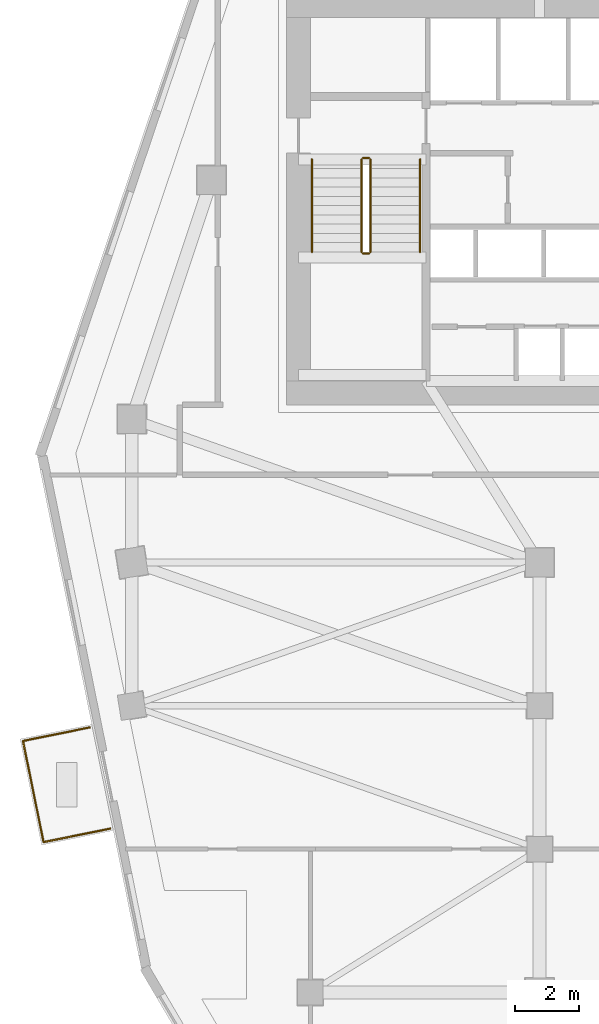
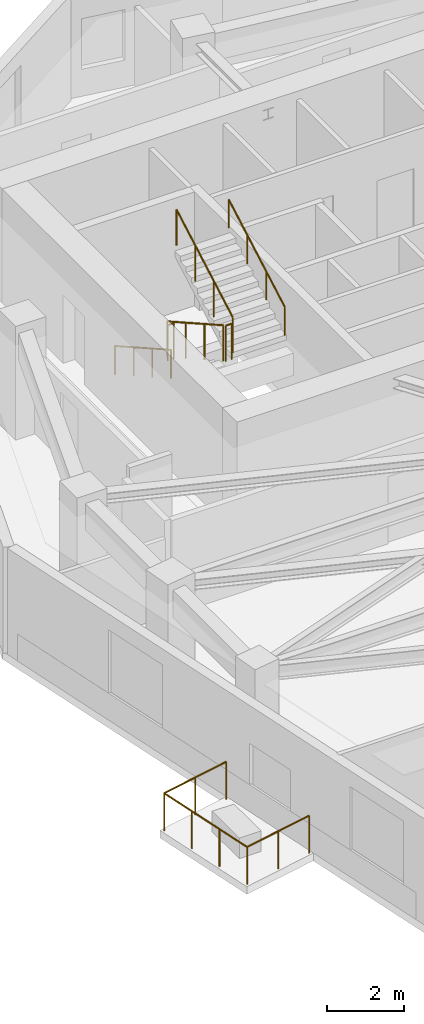
# One storey, part 9 of 11: 9 railings.
"""IFC4 building model written with IfcOpenShell, lengths in metres."""

from ifc_helpers import new_model, si_unit, direction, frame, origin, origin_2d, place, context, subcontext, project, spatial, circle, extrude, material, type_object, element, save


model = new_model("IFC4")

# Units and contexts
model_context = context("Model", 3, precision=1e-05, world=origin(), true_north=direction((0.0, 1.0)))
body_context = subcontext(model_context, "Body", "Model", "MODEL_VIEW")
ifc_project = project(units=[si_unit("LENGTHUNIT", "METRE"), si_unit("AREAUNIT", "SQUARE_METRE"), si_unit("VOLUMEUNIT", "CUBIC_METRE"), si_unit("PLANEANGLEUNIT", "RADIAN"), si_unit("MASSUNIT", "GRAM", prefix="KILO")], contexts=[model_context])

# Site, building, storey
site_placement = place(None, origin())
site = spatial("IfcSite", under=ifc_project, at=site_placement, CompositionType="ELEMENT")
building_placement = place(site_placement, origin())
building = spatial("IfcBuilding", under=site, at=building_placement, Name="Calvemar Wedge Station Tower", CompositionType="ELEMENT")
storey_placement = place(building_placement, frame((0.0, 0.0, 161.0)))
storey = spatial("IfcBuildingStorey", under=building, at=storey_placement, Name="L40", CompositionType="ELEMENT", Elevation=161.0)

# Railings
ifc_material_1 = material(Name="Stainless steel AISI 316L", Category="steel")
railing_type_1 = type_object("IfcRailingType", Name="GRD-TERR-1200", PredefinedType="GUARDRAIL", material=ifc_material_1)
railing_1_placement = place(storey_placement, frame((10.32373046875, 20.146484375, 0.0)))
element("IfcRailing", 1, at=railing_1_placement, inside=storey, type_object=railing_type_1, Name="Storey L40 Spiral Terrace Guard 2", PredefinedType="GUARDRAIL", context=body_context, shape_type="SweptSolid", body=[
    extrude(circle(Radius=0.02392578125, at=origin_2d()), frame((0.0, 0.0, 1.17578125), z_axis=(-0.980050562367, -0.198748321262, 0.0), x_axis=(0.198748321262, -0.980050562367, 0.0)), (0.0, 0.0, 1.0), 2.139892578125),
    extrude(circle(Radius=0.02099609375, at=origin_2d()), origin(), (0.0, 0.0, 1.0), 1.15185546875),
    extrude(circle(Radius=0.02099609375, at=origin_2d()), frame((-1.048583984375, -0.212646484375, 0.0)), (0.0, 0.0, 1.0), 1.15185546875),
    extrude(circle(Radius=0.02099609375, at=origin_2d()), frame((-2.09716796875, -0.42529296875, 0.0)), (0.0, 0.0, 1.0), 1.15185546875),
])
railing_2_placement = place(storey_placement, frame((8.2265625, 19.72119140625, 0.0)))
element("IfcRailing", 2, at=railing_2_placement, inside=storey, type_object=railing_type_1, Name="Storey L40 Spiral Terrace Guard 3", PredefinedType="GUARDRAIL", context=body_context, shape_type="SweptSolid", body=[
    extrude(circle(Radius=0.02392578125, at=origin_2d()), frame((0.0, 0.0, 1.17578125), z_axis=(-0.198854128346, 0.980029099384, 0.0), x_axis=(-0.980029099384, -0.198854128346, 0.0)), (0.0, 0.0, 1.0), 3.239990234375),
    extrude(circle(Radius=0.02099609375, at=origin_2d()), origin(), (0.0, 0.0, 1.0), 1.15185546875),
    extrude(circle(Radius=0.02099609375, at=origin_2d()), frame((-0.21484375, 1.058349609375, 0.0)), (0.0, 0.0, 1.0), 1.15185546875),
    extrude(circle(Radius=0.02099609375, at=origin_2d()), frame((-0.429443359375, 2.116943359375, 0.0)), (0.0, 0.0, 1.0), 1.15185546875),
    extrude(circle(Radius=0.02099609375, at=origin_2d()), frame((-0.644287109375, 3.17529296875, 0.0)), (0.0, 0.0, 1.0), 1.15185546875),
])
railing_3_placement = place(storey_placement, frame((7.582275390625, 22.896484375, 0.0)))
element("IfcRailing", 3, at=railing_3_placement, inside=storey, type_object=railing_type_1, Name="Storey L40 Spiral Terrace Guard 4", PredefinedType="GUARDRAIL", context=body_context, shape_type="SweptSolid", body=[
    extrude(circle(Radius=0.02392578125, at=origin_2d()), frame((0.0, 0.0, 1.17578125), z_axis=(0.980050562367, 0.198748321262, 0.0), x_axis=(-0.198748321262, 0.980050562367, 0.0)), (0.0, 0.0, 1.0), 2.139892578125),
    extrude(circle(Radius=0.02099609375, at=origin_2d()), origin(), (0.0, 0.0, 1.0), 1.15185546875),
    extrude(circle(Radius=0.02099609375, at=origin_2d()), frame((1.048583984375, 0.212646484375, 0.0)), (0.0, 0.0, 1.0), 1.15185546875),
    extrude(circle(Radius=0.02099609375, at=origin_2d()), frame((2.09716796875, 0.42529296875, 0.0)), (0.0, 0.0, 1.0), 1.15185546875),
])
railing_type_2 = type_object("IfcRailingType", Name="RL-HANDRAIL-920", PredefinedType="HANDRAIL", material=ifc_material_1)
railing_4_placement = place(storey_placement, frame((16.64990234375, 41.14990234375, 0.16357421875)))
element("IfcRailing", 4, at=railing_4_placement, inside=storey, type_object=railing_type_2, Name="L40 ST-C1 stair handrail 1", PredefinedType="HANDRAIL", context=body_context, shape_type="SweptSolid", body=[
    extrude(circle(Radius=0.02392578125, at=origin_2d()), frame((0.0, 0.0, 0.89599609375), z_axis=(0.0, -0.870897200241, 0.491465224214), x_axis=(1.0, 0.0, 0.0)), (0.0, 0.0, 1.0), 3.329833984375),
    extrude(circle(Radius=0.02099609375, at=origin_2d()), origin(), (0.0, 0.0, 1.0), 0.871826171875),
    extrude(circle(Radius=0.02099609375, at=origin_2d()), frame((0.0, -0.966552734375, 0.54541015625)), (0.0, 0.0, 1.0), 0.871826171875),
    extrude(circle(Radius=0.02099609375, at=origin_2d()), frame((0.0, -1.933349609375, 1.091064453125)), (0.0, 0.0, 1.0), 0.871826171875),
    extrude(circle(Radius=0.02099609375, at=origin_2d()), frame((0.0, -2.89990234375, 1.636474609375)), (0.0, 0.0, 1.0), 0.871826171875),
])
railing_5_placement = place(storey_placement, frame((20.050048828125, 38.25, 1.963623046875)))
element("IfcRailing", 5, at=railing_5_placement, inside=storey, type_object=railing_type_2, Name="L40 ST-C1 stair handrail 2", PredefinedType="HANDRAIL", context=body_context, shape_type="SweptSolid", body=[
    extrude(circle(Radius=0.02392578125, at=origin_2d()), frame((0.0, 0.0, 0.89599609375), z_axis=(0.0, 0.870897200241, 0.491465224214), x_axis=(-1.0, 0.0, 0.0)), (0.0, 0.0, 1.0), 3.329833984375),
    extrude(circle(Radius=0.02099609375, at=origin_2d()), origin(), (0.0, 0.0, 1.0), 0.871826171875),
    extrude(circle(Radius=0.02099609375, at=origin_2d()), frame((0.0, 0.966552734375, 0.54541015625)), (0.0, 0.0, 1.0), 0.871826171875),
    extrude(circle(Radius=0.02099609375, at=origin_2d()), frame((0.0, 1.933349609375, 1.091064453125)), (0.0, 0.0, 1.0), 0.871826171875),
    extrude(circle(Radius=0.02099609375, at=origin_2d()), frame((0.0, 2.89990234375, 1.636474609375)), (0.0, 0.0, 1.0), 0.871826171875),
])
ifc_material_2 = material(Name="Painted steel guardrail ASTM A500 Grade C", Category="steel")
railing_type_3 = type_object("IfcRailingType", Name="RL-STAIR-GUARD-1150", PredefinedType="GUARDRAIL", material=ifc_material_2)
railing_6_placement = place(storey_placement, frame((18.2099609375, 41.14990234375, 0.16357421875)))
element("IfcRailing", 6, at=railing_6_placement, inside=storey, type_object=railing_type_3, Name="L40 ST-C1 stair guard 1", PredefinedType="GUARDRAIL", context=body_context, shape_type="SweptSolid", body=[
    extrude(circle(Radius=0.02392578125, at=origin_2d()), frame((0.0, 0.0, 1.1259765625), z_axis=(0.0, -0.870897200241, 0.491465224214), x_axis=(1.0, 0.0, 0.0)), (0.0, 0.0, 1.0), 3.329833984375),
    extrude(circle(Radius=0.02099609375, at=origin_2d()), origin(), (0.0, 0.0, 1.0), 1.101806640625),
    extrude(circle(Radius=0.02099609375, at=origin_2d()), frame((0.0, -0.966552734375, 0.54541015625)), (0.0, 0.0, 1.0), 1.101806640625),
    extrude(circle(Radius=0.02099609375, at=origin_2d()), frame((0.0, -1.933349609375, 1.091064453125)), (0.0, 0.0, 1.0), 1.101806640625),
    extrude(circle(Radius=0.02099609375, at=origin_2d()), frame((0.0, -2.89990234375, 1.636474609375)), (0.0, 0.0, 1.0), 1.101806640625),
])
railing_7_placement = place(storey_placement, frame((18.260009765625, 38.199951171875, 1.800048828125)))
element("IfcRailing", 7, at=railing_7_placement, inside=storey, type_object=railing_type_3, Name="L40 ST-C1 stair guard 2", PredefinedType="GUARDRAIL", context=body_context, shape_type="SweptSolid", body=[
    extrude(circle(Radius=0.02392578125, at=origin_2d()), frame((0.0, 0.0, 1.1259765625), z_axis=(1.0, 0.0, 0.0), x_axis=(0.0, 1.0, 0.0)), (0.0, 0.0, 1.0), 0.179931640625),
    extrude(circle(Radius=0.02099609375, at=origin_2d()), origin(), (0.0, 0.0, 1.0), 1.101806640625),
    extrude(circle(Radius=0.02099609375, at=origin_2d()), frame((0.179931640625, 0.0, 0.0)), (0.0, 0.0, 1.0), 1.101806640625),
])
railing_8_placement = place(storey_placement, frame((18.489990234375, 38.25, 1.963623046875)))
element("IfcRailing", 8, at=railing_8_placement, inside=storey, type_object=railing_type_3, Name="L40 ST-C1 stair guard 3", PredefinedType="GUARDRAIL", context=body_context, shape_type="SweptSolid", body=[
    extrude(circle(Radius=0.02392578125, at=origin_2d()), frame((0.0, 0.0, 1.1259765625), z_axis=(0.0, 0.870897200241, 0.491465224214), x_axis=(-1.0, 0.0, 0.0)), (0.0, 0.0, 1.0), 3.329833984375),
    extrude(circle(Radius=0.02099609375, at=origin_2d()), origin(), (0.0, 0.0, 1.0), 1.101806640625),
    extrude(circle(Radius=0.02099609375, at=origin_2d()), frame((0.0, 0.966552734375, 0.54541015625)), (0.0, 0.0, 1.0), 1.101806640625),
    extrude(circle(Radius=0.02099609375, at=origin_2d()), frame((0.0, 1.933349609375, 1.091064453125)), (0.0, 0.0, 1.0), 1.101806640625),
    extrude(circle(Radius=0.02099609375, at=origin_2d()), frame((0.0, 2.89990234375, 1.636474609375)), (0.0, 0.0, 1.0), 1.101806640625),
])
railing_9_placement = place(storey_placement, frame((18.260009765625, 41.199951171875, 0.0)))
element("IfcRailing", 9, at=railing_9_placement, inside=storey, type_object=railing_type_3, Name="L40 ST-C1 stair guard 4", PredefinedType="GUARDRAIL", context=body_context, shape_type="SweptSolid", body=[
    extrude(circle(Radius=0.02392578125, at=origin_2d()), frame((0.0, 0.0, 1.1259765625), z_axis=(1.0, 0.0, 0.0), x_axis=(0.0, 1.0, 0.0)), (0.0, 0.0, 1.0), 0.179931640625),
    extrude(circle(Radius=0.02099609375, at=origin_2d()), origin(), (0.0, 0.0, 1.0), 1.101806640625),
    extrude(circle(Radius=0.02099609375, at=origin_2d()), frame((0.179931640625, 0.0, 0.0)), (0.0, 0.0, 1.0), 1.101806640625),
])

save(model, "model.ifc")
